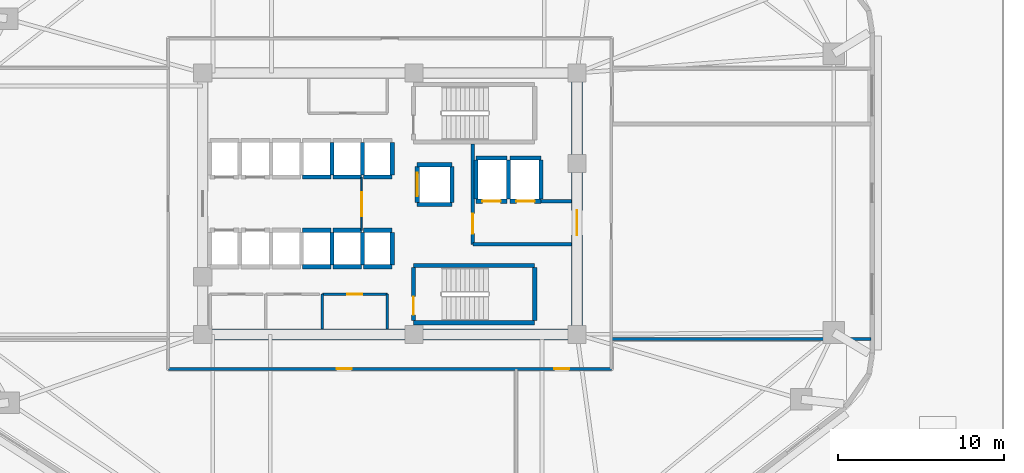
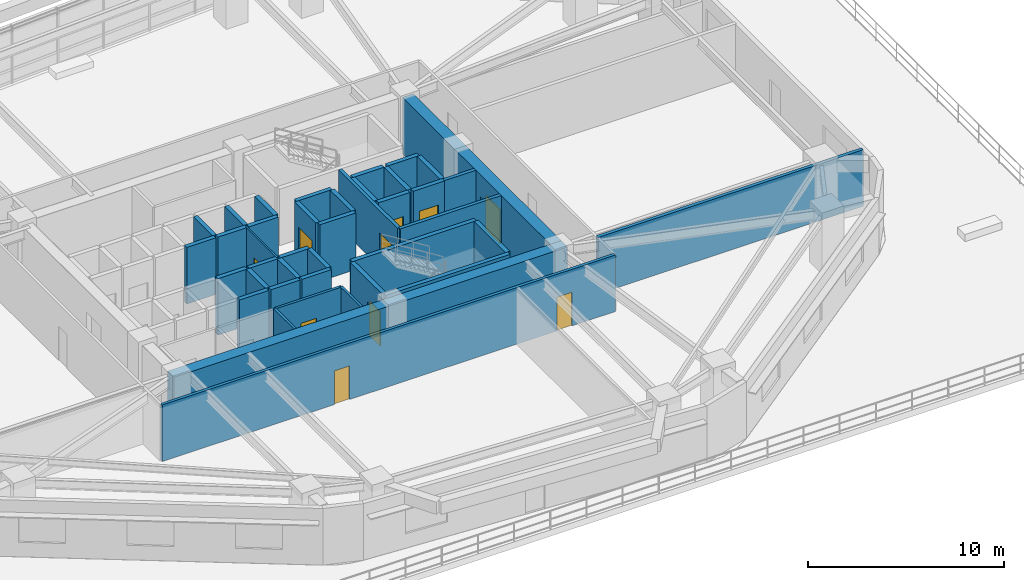
# One storey, part 15 of 20: 41 walls, 10 doors, 10 openings.
"""IFC4 building model written with IfcOpenShell, lengths in metres."""

from ifc_helpers import new_model, si_unit, direction, frame, frame_2d, origin, place, context, subcontext, project, spatial, rectangle, extrude, material, layer, layer_set, type_object, element, fill, save


model = new_model("IFC4")

# Units and contexts
model_context = context("Model", 3, precision=1e-05, world=origin(), true_north=direction((0.0, 1.0)))
body_context = subcontext(model_context, "Body", "Model", "MODEL_VIEW")
ifc_project = project(units=[si_unit("LENGTHUNIT", "METRE"), si_unit("AREAUNIT", "SQUARE_METRE"), si_unit("VOLUMEUNIT", "CUBIC_METRE"), si_unit("PLANEANGLEUNIT", "RADIAN"), si_unit("MASSUNIT", "GRAM", prefix="KILO")], contexts=[model_context])

# Site, building, storey
site_placement = place(None, origin())
site = spatial("IfcSite", under=ifc_project, at=site_placement, CompositionType="ELEMENT")
building_placement = place(site_placement, origin())
building = spatial("IfcBuilding", under=site, at=building_placement, Name="Zulverin Broadcast Headquarters", CompositionType="ELEMENT")
storey_placement = place(building_placement, frame((0.0, 0.0, 25.0)))
storey = spatial("IfcBuildingStorey", under=building, at=storey_placement, Name="L05", CompositionType="ELEMENT", Elevation=25.0)

# Walls
ifc_material_1 = material(Name="Acoustic drywall steel stud", Category="steel")
ifc_layer_1 = layer(ifc_material_1, 0.199951171875, Name="Acoustic drywall steel stud", Category="steel")
ifc_layer_set_1 = layer_set([ifc_layer_1], Name="Acoustic drywall steel stud")
wall_type_1 = type_object("IfcWallType", Name="WL-ACOU-200", PredefinedType="PARTITIONING", material=ifc_layer_set_1)
wall_1_placement = place(storey_placement, frame((50.35009765625, 17.050048828125, 0.0), z_axis=(0.0, 0.0, 1.0), x_axis=(1.0, 0.0, 0.0)))
element("IfcWall", 1, at=wall_1_placement, inside=storey, type_object=wall_type_1, Name="L05 Room Partition Wall RP-06", PredefinedType="PARTITIONING", context=body_context, shape_type="SweptSolid", body=[
    extrude(rectangle(XDim=15.64501953125, YDim=0.199951171875, at=frame_2d((7.822509765625, 0.0))), origin(), (0.0, 0.0, 1.0), 3.52490234375),
])
ifc_material_2 = material(Name="Concrete C60/75", Category="concrete")
ifc_layer_2 = layer(ifc_material_2, 0.64990234375, Name="Concrete C60/75", Category="concrete")
ifc_layer_set_2 = layer_set([ifc_layer_2], Name="Concrete C60/75")
wall_type_2 = type_object("IfcWallType", Name="WL-CORE-650", PredefinedType="SHEAR", material=ifc_layer_set_2)
wall_2_placement = place(storey_placement, frame((25.39990234375, 17.324951171875, 0.0), z_axis=(0.0, 0.0, 1.0), x_axis=(1.0, 0.0, 0.0)))
element("IfcWall", 2, at=wall_2_placement, inside=storey, type_object=wall_type_2, Name="L05 Core South Shear Wall", PredefinedType="SHEAR", context=body_context, shape_type="SweptSolid", body=[
    extrude(rectangle(XDim=23.2001953125, YDim=0.64990234375, at=frame_2d((11.60009765625, 0.0))), origin(), (0.0, 0.0, 1.0), 3.52490234375),
])

# Wall, opening, door
wall_3_placement = place(storey_placement, frame((48.27490234375, 17.64990234375, 0.0), z_axis=(0.0, 0.0, 1.0), x_axis=(0.0, 1.0, 0.0)))
wall_3 = element("IfcWall", 3, at=wall_3_placement, inside=storey, type_object=wall_type_2, Name="L05 Core East Shear Wall", PredefinedType="SHEAR", context=body_context, shape_type="SweptSolid", body=[
    extrude(rectangle(XDim=15.10009765625, YDim=0.64990234375, at=frame_2d((7.550048828125, 0.0))), origin(), (0.0, 0.0, 1.0), 3.52490234375),
])
opening_1_placement = place(wall_3_placement, frame((5.64990234375, 0.0, 0.0)))
opening_1 = element("IfcOpeningElement", 4, at=opening_1_placement, cuts=wall_3, Name="Opening D-L05-CE1", PredefinedType="OPENING", context=body_context, shape_type="SweptSolid", body=[
    extrude(rectangle(XDim=1.5, YDim=2.14990234375, at=frame_2d((0.75, 1.074951171875))), frame((0.0, 0.3349609375, 0.0), z_axis=(0.0, -1.0, 0.0), x_axis=(1.0, 0.0, 0.0)), (0.0, 0.0, 1.0), 0.669921875),
])
ifc_material_3 = material(Name="Fire-rated glazed steel frame", Category="steel")
door_type_1 = type_object("IfcDoorType", Name="DR-COR-1500", OperationType="DOUBLE_DOOR_SINGLE_SWING", PredefinedType="DOOR", material=ifc_material_3)
door_1_placement = place(opening_1_placement, origin())
door_1 = element("IfcDoor", 5, at=door_1_placement, inside=storey, type_object=door_type_1, Name="L05 Firefighting Lobby East Corridor Door", OperationType="DOUBLE_DOOR_SINGLE_SWING", OverallHeight=2.14990234375, OverallWidth=1.5, PredefinedType="DOOR", context=body_context, shape_type="SweptSolid", body=[
    extrude(rectangle(XDim=1.5, YDim=2.14990234375, at=frame_2d((0.75, 1.074951171875))), frame((0.0, 0.02490234375, 0.0), z_axis=(0.0, -1.0, 0.0), x_axis=(1.0, 0.0, 0.0)), (0.0, 0.0, 1.0), 0.050048828125),
])
fill(opening_1, door_1)

ifc_material_4 = material(Name="Concrete C40/50", Category="concrete")
ifc_layer_3 = layer(ifc_material_4, 0.199951171875, Name="Concrete C40/50", Category="concrete")
ifc_layer_set_3 = layer_set([ifc_layer_3], Name="Concrete C40/50")
wall_type_3 = type_object("IfcWallType", Name="WL-FFL-200", PredefinedType="SOLIDWALL", material=ifc_layer_set_3)
wall_4_placement = place(storey_placement, frame((42.0, 22.75, 0.0), z_axis=(0.0, 0.0, 1.0), x_axis=(0.0, 1.0, 0.0)))
wall_4 = element("IfcWall", 6, at=wall_4_placement, inside=storey, type_object=wall_type_3, Name="L05 Firefighting Lift Lobby West Wall", PredefinedType="SOLIDWALL", context=body_context, shape_type="SweptSolid", body=[
    extrude(rectangle(XDim=6.050048828125, YDim=0.199951171875, at=frame_2d((3.02490234375, 0.0))), origin(), (0.0, 0.0, 1.0), 3.52490234375),
])
opening_2_placement = place(wall_4_placement, frame((0.64990234375, 0.0, 0.0)))
opening_2 = element("IfcOpeningElement", 7, at=opening_2_placement, cuts=wall_4, Name="Opening D-L05-FFLW", PredefinedType="OPENING", context=body_context, shape_type="SweptSolid", body=[
    extrude(rectangle(XDim=1.199951171875, YDim=2.14990234375, at=frame_2d((0.60009765625, 1.074951171875))), frame((0.0, 0.10986328125, 0.0), z_axis=(0.0, -1.0, 0.0), x_axis=(1.0, 0.0, 0.0)), (0.0, 0.0, 1.0), 0.219970703125),
])
ifc_material_5 = material(Name="Fire-rated steel leaf and frame", Category="steel")
door_type_2 = type_object("IfcDoorType", Name="DR-FFL-1200", OperationType="SINGLE_SWING_RIGHT", PredefinedType="DOOR", material=ifc_material_5)
door_2_placement = place(opening_2_placement, origin())
door_2 = element("IfcDoor", 8, at=door_2_placement, inside=storey, type_object=door_type_2, Name="L05 Firefighting Lift Lobby Door", OperationType="SINGLE_SWING_RIGHT", OverallHeight=2.14990234375, OverallWidth=1.199951171875, PredefinedType="DOOR", context=body_context, shape_type="SweptSolid", body=[
    extrude(rectangle(XDim=1.199951171875, YDim=2.14990234375, at=frame_2d((0.60009765625, 1.074951171875))), frame((0.0, 0.02490234375, 0.0), z_axis=(0.0, -1.0, 0.0), x_axis=(1.0, 0.0, 0.0)), (0.0, 0.0, 1.0), 0.050048828125),
])
fill(opening_2, door_2)

# Walls
wall_5_placement = place(storey_placement, frame((42.0, 22.75, 0.0), z_axis=(0.0, 0.0, 1.0), x_axis=(1.0, 0.0, 0.0)))
element("IfcWall", 9, at=wall_5_placement, inside=storey, type_object=wall_type_3, Name="L05 Firefighting Lift Lobby South Wall", PredefinedType="SOLIDWALL", context=body_context, shape_type="SweptSolid", body=[
    extrude(rectangle(XDim=5.949951171875, YDim=0.199951171875, at=frame_2d((2.97509765625, 0.0))), origin(), (0.0, 0.0, 1.0), 3.52490234375),
])
wall_6_placement = place(storey_placement, frame((46.10009765625, 25.35009765625, 0.0), z_axis=(0.0, 0.0, 1.0), x_axis=(1.0, 0.0, 0.0)))
element("IfcWall", 10, at=wall_6_placement, inside=storey, type_object=wall_type_3, Name="L05 Firefighting Lift Lobby North Wall", PredefinedType="SOLIDWALL", context=body_context, shape_type="SweptSolid", body=[
    extrude(rectangle(XDim=1.849853515625, YDim=0.199951171875, at=frame_2d((0.9248046875, 0.0))), origin(), (0.0, 0.0, 1.0), 3.52490234375),
])

# Wall, opening, door
ifc_material_6 = material(Name="Fire-rated acoustic laminated glass screen", Category="glass")
ifc_layer_4 = layer(ifc_material_6, 0.10009765625, Name="Fire-rated acoustic laminated glass screen", Category="glass")
ifc_layer_set_4 = layer_set([ifc_layer_4], Name="Fire-rated acoustic laminated glass screen")
wall_type_4 = type_object("IfcWallType", Name="WL-GLAZ-100", PredefinedType="PARTITIONING", material=ifc_layer_set_4)
wall_7_placement = place(storey_placement, frame((35.300048828125, 23.60009765625, 0.0), z_axis=(0.0, 0.0, 1.0), x_axis=(0.0, 1.0, 0.0)))
wall_7 = element("IfcWall", 11, at=wall_7_placement, inside=storey, type_object=wall_type_4, Name="L05 Central Core Smoke Vestibule Screen", PredefinedType="PARTITIONING", context=body_context, shape_type="SweptSolid", body=[
    extrude(rectangle(XDim=3.199951171875, YDim=0.10009765625, at=frame_2d((1.60009765625, 0.0))), origin(), (0.0, 0.0, 1.0), 3.52490234375),
])
opening_3_placement = place(wall_7_placement, frame((0.85009765625, 0.0, 0.0)))
opening_3 = element("IfcOpeningElement", 12, at=opening_3_placement, cuts=wall_7, Name="Opening D-L05-CL2", PredefinedType="OPENING", context=body_context, shape_type="SweptSolid", body=[
    extrude(rectangle(XDim=1.449951171875, YDim=2.1201171875, at=frame_2d((0.72509765625, 1.06005859375))), frame((0.0, 0.06005859375, 0.0), z_axis=(0.0, -1.0, 0.0), x_axis=(1.0, 0.0, 0.0)), (0.0, 0.0, 1.0), 0.1201171875),
])
ifc_material_7 = material(Name="Fire-rated acoustic glazed double leaf", Category="glass")
door_type_3 = type_object("IfcDoorType", Name="DR-GLZ-1450", OperationType="DOUBLE_DOOR_SINGLE_SWING", PredefinedType="DOOR", material=ifc_material_7)
door_3_placement = place(opening_3_placement, origin())
door_3 = element("IfcDoor", 13, at=door_3_placement, inside=storey, type_object=door_type_3, Name="L05 Central Core Smoke Vestibule Door", OperationType="DOUBLE_DOOR_SINGLE_SWING", OverallHeight=2.1201171875, OverallWidth=1.449951171875, PredefinedType="DOOR", context=body_context, shape_type="SweptSolid", body=[
    extrude(rectangle(XDim=1.449951171875, YDim=2.1201171875, at=frame_2d((0.72509765625, 1.06005859375))), frame((0.0, 0.02490234375, 0.0), z_axis=(0.0, -1.0, 0.0), x_axis=(1.0, 0.0, 0.0)), (0.0, 0.0, 1.0), 0.050048828125),
])
fill(opening_3, door_3)

ifc_material_8 = material(Name="Fire-rated gypsum stud partition", Category="gypsum")
ifc_layer_5 = layer(ifc_material_8, 0.14990234375, Name="Fire-rated gypsum stud partition", Category="gypsum")
ifc_layer_set_5 = layer_set([ifc_layer_5], Name="Fire-rated gypsum stud partition")
wall_type_5 = type_object("IfcWallType", Name="WL-PART-150", PredefinedType="PARTITIONING", material=ifc_layer_set_5)
wall_8_placement = place(storey_placement, frame((32.929931640625, 19.75, 0.0), z_axis=(0.0, 0.0, 1.0), x_axis=(1.0, 0.0, 0.0)))
wall_8 = element("IfcWall", 14, at=wall_8_placement, inside=storey, type_object=wall_type_5, Name="L05 Core Cleaner Store Front Wall", PredefinedType="PARTITIONING", context=body_context, shape_type="SweptSolid", body=[
    extrude(rectangle(XDim=3.920166015625, YDim=0.14990234375, at=frame_2d((1.9599609375, 0.0))), origin(), (0.0, 0.0, 1.0), 3.52490234375),
])
opening_4_placement = place(wall_8_placement, frame((1.510009765625, 0.0, 0.0)))
opening_4 = element("IfcOpeningElement", 15, at=opening_4_placement, cuts=wall_8, Name="Opening D-L05-SC3", PredefinedType="OPENING", context=body_context, shape_type="SweptSolid", body=[
    extrude(rectangle(XDim=0.89990234375, YDim=2.10009765625, at=frame_2d((0.449951171875, 1.050048828125))), frame((0.0, 0.0849609375, 0.0), z_axis=(0.0, -1.0, 0.0), x_axis=(1.0, 0.0, 0.0)), (0.0, 0.0, 1.0), 0.169921875),
])
ifc_material_9 = material(Name="Powder-coated steel access leaf", Category="steel")
door_type_4 = type_object("IfcDoorType", Name="DR-RISER-900", OperationType="SINGLE_SWING_LEFT", PredefinedType="DOOR", material=ifc_material_9)
door_4_placement = place(opening_4_placement, origin())
door_4 = element("IfcDoor", 16, at=door_4_placement, inside=storey, type_object=door_type_4, Name="L05 Cleaner Store Door", OperationType="SINGLE_SWING_RIGHT", OverallHeight=2.10009765625, OverallWidth=0.89990234375, PredefinedType="DOOR", context=body_context, shape_type="SweptSolid", body=[
    extrude(rectangle(XDim=0.89990234375, YDim=2.10009765625, at=frame_2d((0.449951171875, 1.050048828125))), frame((0.0, 0.02490234375, 0.0), z_axis=(0.0, -1.0, 0.0), x_axis=(1.0, 0.0, 0.0)), (0.0, 0.0, 1.0), 0.050048828125),
])
fill(opening_4, door_4)

# Walls
for number, where, z_axis, x_axis, name in (
    (17, (32.929931640625, 17.64990234375, 0.0), (0.0, 0.0, 1.0), (0.0, 1.0, 0.0), "L05 Core Cleaner Store West Wall"),
    (18, (36.85009765625, 17.64990234375, 0.0), (0.0, 0.0, 1.0), (0.0, 1.0, 0.0), "L05 Core Cleaner Store East Wall"),
):
    element("IfcWall", number, at=place(storey_placement, frame(where, z_axis=z_axis, x_axis=x_axis)), inside=storey, type_object=wall_type_5, Name=name, PredefinedType="PARTITIONING", context=body_context, shape_type="SweptSolid", body=[
        extrude(rectangle(XDim=2.10009765625, YDim=0.14990234375, at=frame_2d((1.050048828125, 0.0))), origin(), (0.0, 0.0, 1.0), 3.52490234375),
    ])

# Wall, openings, doors
ifc_material_10 = material(Name="Fire-rated acoustic stud wall", Category="gypsum")
ifc_layer_6 = layer(ifc_material_10, 0.175048828125, Name="Fire-rated acoustic stud wall", Category="gypsum")
ifc_layer_set_6 = layer_set([ifc_layer_6], Name="Fire-rated acoustic stud wall")
wall_type_6 = type_object("IfcWallType", Name="WL-PART-175", PredefinedType="PARTITIONING", material=ifc_layer_set_6)
wall_9_placement = place(storey_placement, frame((23.64990234375, 15.25, 0.0), z_axis=(0.0, 0.0, 1.0), x_axis=(1.0, 0.0, 0.0)))
wall_9 = element("IfcWall", 19, at=wall_9_placement, inside=storey, type_object=wall_type_6, Name="L05 Gallery Partition Wall CG-04", PredefinedType="PARTITIONING", context=body_context, shape_type="SweptSolid", body=[
    extrude(rectangle(XDim=26.7001953125, YDim=0.175048828125, at=frame_2d((13.35009765625, 0.0))), origin(), (0.0, 0.0, 1.0), 3.52490234375),
])
opening_5_placement = place(wall_9_placement, frame((10.14501953125, 0.0, 0.0)))
opening_5 = element("IfcOpeningElement", 20, at=opening_5_placement, cuts=wall_9, Name="Opening D-L05-02", PredefinedType="OPENING", context=body_context, shape_type="SweptSolid", body=[
    extrude(rectangle(XDim=0.89990234375, YDim=2.10009765625, at=frame_2d((0.449951171875, 1.050048828125))), frame((0.0, 0.097412109375, 0.0), z_axis=(0.0, -1.0, 0.0), x_axis=(1.0, 0.0, 0.0)), (0.0, 0.0, 1.0), 0.195068359375),
])
opening_6_placement = place(wall_9_placement, frame((23.2548828125, 0.0, 0.0)))
opening_6 = element("IfcOpeningElement", 21, at=opening_6_placement, cuts=wall_9, Name="Opening D-L05-03", PredefinedType="OPENING", context=body_context, shape_type="SweptSolid", body=[
    extrude(rectangle(XDim=0.89990234375, YDim=2.10009765625, at=frame_2d((0.449951171875, 1.050048828125))), frame((0.0, 0.097412109375, 0.0), z_axis=(0.0, -1.0, 0.0), x_axis=(1.0, 0.0, 0.0)), (0.0, 0.0, 1.0), 0.195068359375),
])
ifc_material_11 = material(Name="Fire-rated hardwood veneer timber leaf", Category="wood")
door_type_5 = type_object("IfcDoorType", Name="DR-ROOM-900", OperationType="SINGLE_SWING_RIGHT", PredefinedType="DOOR", material=ifc_material_11)
door_5_placement = place(opening_5_placement, origin())
door_5 = element("IfcDoor", 22, at=door_5_placement, inside=storey, type_object=door_type_5, Name="L05 Editorial Meeting Room Door", OperationType="SINGLE_SWING_LEFT", OverallHeight=2.10009765625, OverallWidth=0.89990234375, PredefinedType="DOOR", context=body_context, shape_type="SweptSolid", body=[
    extrude(rectangle(XDim=0.89990234375, YDim=2.10009765625, at=frame_2d((0.449951171875, 1.050048828125))), frame((0.0, 0.02490234375, 0.0), z_axis=(0.0, -1.0, 0.0), x_axis=(1.0, 0.0, 0.0)), (0.0, 0.0, 1.0), 0.050048828125),
])
fill(opening_5, door_5)
door_6_placement = place(opening_6_placement, origin())
door_6 = element("IfcDoor", 23, at=door_6_placement, inside=storey, type_object=door_type_5, Name="L05 Staff Dining Canteen Door", OperationType="SINGLE_SWING_RIGHT", OverallHeight=2.10009765625, OverallWidth=0.89990234375, PredefinedType="DOOR", context=body_context, shape_type="SweptSolid", body=[
    extrude(rectangle(XDim=0.89990234375, YDim=2.10009765625, at=frame_2d((0.449951171875, 1.050048828125))), frame((0.0, 0.02490234375, 0.0), z_axis=(0.0, -1.0, 0.0), x_axis=(1.0, 0.0, 0.0)), (0.0, 0.0, 1.0), 0.050048828125),
])
fill(opening_6, door_6)

# Walls
ifc_material_12 = material(Name="Concrete C50/60", Category="concrete")
ifc_layer_7 = layer(ifc_material_12, 0.25, Name="Concrete C50/60", Category="concrete")
ifc_layer_set_7 = layer_set([ifc_layer_7], Name="Concrete C50/60")
wall_type_7 = type_object("IfcWallType", Name="WL-SHAFT-250", PredefinedType="SHEAR", material=ifc_layer_set_7)
for number, where, z_axis, x_axis, name in (
    (24, (38.425048828125, 18.02490234375, 0.0), (0.0, 0.0, 1.0), (1.0, 0.0, 0.0), "L05 ST-2 Enclosure Wall S"),
    (25, (38.425048828125, 21.47509765625, 0.0), (0.0, 0.0, 1.0), (1.0, 0.0, 0.0), "L05 ST-2 Enclosure Wall N"),
):
    element("IfcWall", number, at=place(storey_placement, frame(where, z_axis=z_axis, x_axis=x_axis)), inside=storey, type_object=wall_type_7, Name=name, PredefinedType="SHEAR", context=body_context, shape_type="SweptSolid", body=[
        extrude(rectangle(XDim=7.300048828125, YDim=0.25, at=frame_2d((3.64990234375, 0.0))), origin(), (0.0, 0.0, 1.0), 3.52490234375),
    ])

# Wall, opening, door
wall_10_placement = place(storey_placement, frame((38.425048828125, 18.14990234375, 0.0), z_axis=(0.0, 0.0, 1.0), x_axis=(0.0, 1.0, 0.0)))
wall_10 = element("IfcWall", 26, at=wall_10_placement, inside=storey, type_object=wall_type_7, Name="L05 ST-2 Enclosure Wall W", PredefinedType="SHEAR", context=body_context, shape_type="SweptSolid", body=[
    extrude(rectangle(XDim=3.2001953125, YDim=0.25, at=frame_2d((1.60009765625, 0.0))), origin(), (0.0, 0.0, 1.0), 3.52490234375),
])
opening_7_placement = place(wall_10_placement, frame((0.35009765625, 0.0, 0.0)))
opening_7 = element("IfcOpeningElement", 27, at=opening_7_placement, cuts=wall_10, Name="Opening D-L05-ST-2", PredefinedType="OPENING", context=body_context, shape_type="SweptSolid", body=[
    extrude(rectangle(XDim=1.10009765625, YDim=2.14990234375, at=frame_2d((0.550048828125, 1.074951171875))), frame((0.0, 0.135009765625, 0.0), z_axis=(0.0, -1.0, 0.0), x_axis=(1.0, 0.0, 0.0)), (0.0, 0.0, 1.0), 0.27001953125),
])
door_type_6 = type_object("IfcDoorType", Name="DR-STAIR-1100", OperationType="SINGLE_SWING_LEFT", PredefinedType="DOOR", material=ifc_material_5)
door_7_placement = place(opening_7_placement, origin())
door_7 = element("IfcDoor", 28, at=door_7_placement, inside=storey, type_object=door_type_6, Name="L05 Exit Stair ST-2 Fire Door", OperationType="SINGLE_SWING_RIGHT", OverallHeight=2.14990234375, OverallWidth=1.10009765625, PredefinedType="DOOR", context=body_context, shape_type="SweptSolid", body=[
    extrude(rectangle(XDim=1.10009765625, YDim=2.14990234375, at=frame_2d((0.550048828125, 1.074951171875))), frame((0.0, 0.02490234375, 0.0), z_axis=(0.0, -1.0, 0.0), x_axis=(1.0, 0.0, 0.0)), (0.0, 0.0, 1.0), 0.050048828125),
])
fill(opening_7, door_7)

# Walls
wall_11_placement = place(storey_placement, frame((45.72509765625, 18.14990234375, 0.0), z_axis=(0.0, 0.0, 1.0), x_axis=(0.0, 1.0, 0.0)))
element("IfcWall", 29, at=wall_11_placement, inside=storey, type_object=wall_type_7, Name="L05 ST-2 Enclosure Wall E", PredefinedType="SHEAR", context=body_context, shape_type="SweptSolid", body=[
    extrude(rectangle(XDim=3.2001953125, YDim=0.25, at=frame_2d((1.60009765625, 0.0))), origin(), (0.0, 0.0, 1.0), 3.52490234375),
])
for number, where, z_axis, x_axis, name in (
    (30, (31.739990234375, 21.39990234375, 0.0), (0.0, 0.0, 1.0), (1.0, 0.0, 0.0), "L05 Lift PL-M2 Shaft Wall S"),
    (31, (31.739990234375, 23.60009765625, 0.0), (0.0, 0.0, 1.0), (1.0, 0.0, 0.0), "L05 Lift PL-M2 Shaft Wall N"),
):
    element("IfcWall", number, at=place(storey_placement, frame(where, z_axis=z_axis, x_axis=x_axis)), inside=storey, type_object=wall_type_7, Name=name, PredefinedType="SHEAR", context=body_context, shape_type="SweptSolid", body=[
        extrude(rectangle(XDim=1.719970703125, YDim=0.25, at=frame_2d((0.85986328125, 0.0))), origin(), (0.0, 0.0, 1.0), 3.52490234375),
    ])
wall_12_placement = place(storey_placement, frame((33.52001953125, 21.52001953125, 0.0), z_axis=(0.0, 0.0, 1.0), x_axis=(0.0, 1.0, 0.0)))
element("IfcWall", 32, at=wall_12_placement, inside=storey, type_object=wall_type_7, Name="L05 Lift PL-M2 Shaft Wall E", PredefinedType="SHEAR", context=body_context, shape_type="SweptSolid", body=[
    extrude(rectangle(XDim=1.9599609375, YDim=0.25, at=frame_2d((0.97998046875, 0.0))), origin(), (0.0, 0.0, 1.0), 3.52490234375),
])
for number, where, z_axis, x_axis, name in (
    (33, (33.580078125, 21.39990234375, 0.0), (0.0, 0.0, 1.0), (1.0, 0.0, 0.0), "L05 Lift PL-M3 Shaft Wall S"),
    (34, (33.580078125, 23.60009765625, 0.0), (0.0, 0.0, 1.0), (1.0, 0.0, 0.0), "L05 Lift PL-M3 Shaft Wall N"),
):
    element("IfcWall", number, at=place(storey_placement, frame(where, z_axis=z_axis, x_axis=x_axis)), inside=storey, type_object=wall_type_7, Name=name, PredefinedType="SHEAR", context=body_context, shape_type="SweptSolid", body=[
        extrude(rectangle(XDim=1.719970703125, YDim=0.25, at=frame_2d((0.85986328125, 0.0))), origin(), (0.0, 0.0, 1.0), 3.52490234375),
    ])
wall_13_placement = place(storey_placement, frame((35.360107421875, 21.52001953125, 0.0), z_axis=(0.0, 0.0, 1.0), x_axis=(0.0, 1.0, 0.0)))
element("IfcWall", 35, at=wall_13_placement, inside=storey, type_object=wall_type_7, Name="L05 Lift PL-M3 Shaft Wall E", PredefinedType="SHEAR", context=body_context, shape_type="SweptSolid", body=[
    extrude(rectangle(XDim=1.9599609375, YDim=0.25, at=frame_2d((0.97998046875, 0.0))), origin(), (0.0, 0.0, 1.0), 3.52490234375),
])
for number, where, z_axis, x_axis, name in (
    (36, (35.419921875, 21.39990234375, 0.0), (0.0, 0.0, 1.0), (1.0, 0.0, 0.0), "L05 Lift PL-M4 Shaft Wall S"),
    (37, (35.419921875, 23.60009765625, 0.0), (0.0, 0.0, 1.0), (1.0, 0.0, 0.0), "L05 Lift PL-M4 Shaft Wall N"),
):
    element("IfcWall", number, at=place(storey_placement, frame(where, z_axis=z_axis, x_axis=x_axis)), inside=storey, type_object=wall_type_7, Name=name, PredefinedType="SHEAR", context=body_context, shape_type="SweptSolid", body=[
        extrude(rectangle(XDim=1.719970703125, YDim=0.25, at=frame_2d((0.85986328125, 0.0))), origin(), (0.0, 0.0, 1.0), 3.52490234375),
    ])
wall_14_placement = place(storey_placement, frame((37.139892578125, 21.52001953125, 0.0), z_axis=(0.0, 0.0, 1.0), x_axis=(0.0, 1.0, 0.0)))
element("IfcWall", 38, at=wall_14_placement, inside=storey, type_object=wall_type_7, Name="L05 Lift PL-M4 Shaft Wall E", PredefinedType="SHEAR", context=body_context, shape_type="SweptSolid", body=[
    extrude(rectangle(XDim=1.9599609375, YDim=0.25, at=frame_2d((0.97998046875, 0.0))), origin(), (0.0, 0.0, 1.0), 3.52490234375),
])
wall_15_placement = place(storey_placement, frame((31.739990234375, 26.800048828125, 0.0), z_axis=(0.0, 0.0, 1.0), x_axis=(1.0, 0.0, 0.0)))
element("IfcWall", 39, at=wall_15_placement, inside=storey, type_object=wall_type_7, Name="L05 Lift PL-H2 Shaft Wall S", PredefinedType="SHEAR", context=body_context, shape_type="SweptSolid", body=[
    extrude(rectangle(XDim=1.719970703125, YDim=0.25, at=frame_2d((0.85986328125, 0.0))), origin(), (0.0, 0.0, 1.0), 3.52490234375),
])
wall_16_placement = place(storey_placement, frame((33.52001953125, 26.919921875, 0.0), z_axis=(0.0, 0.0, 1.0), x_axis=(0.0, 1.0, 0.0)))
element("IfcWall", 40, at=wall_16_placement, inside=storey, type_object=wall_type_7, Name="L05 Lift PL-H2 Shaft Wall E", PredefinedType="SHEAR", context=body_context, shape_type="SweptSolid", body=[
    extrude(rectangle(XDim=1.9599609375, YDim=0.25, at=frame_2d((0.97998046875, 0.0))), origin(), (0.0, 0.0, 1.0), 3.52490234375),
])
wall_17_placement = place(storey_placement, frame((33.580078125, 26.800048828125, 0.0), z_axis=(0.0, 0.0, 1.0), x_axis=(1.0, 0.0, 0.0)))
element("IfcWall", 41, at=wall_17_placement, inside=storey, type_object=wall_type_7, Name="L05 Lift PL-H3 Shaft Wall S", PredefinedType="SHEAR", context=body_context, shape_type="SweptSolid", body=[
    extrude(rectangle(XDim=1.719970703125, YDim=0.25, at=frame_2d((0.85986328125, 0.0))), origin(), (0.0, 0.0, 1.0), 3.52490234375),
])
wall_18_placement = place(storey_placement, frame((35.360107421875, 26.919921875, 0.0), z_axis=(0.0, 0.0, 1.0), x_axis=(0.0, 1.0, 0.0)))
element("IfcWall", 42, at=wall_18_placement, inside=storey, type_object=wall_type_7, Name="L05 Lift PL-H3 Shaft Wall E", PredefinedType="SHEAR", context=body_context, shape_type="SweptSolid", body=[
    extrude(rectangle(XDim=1.9599609375, YDim=0.25, at=frame_2d((0.97998046875, 0.0))), origin(), (0.0, 0.0, 1.0), 3.52490234375),
])
wall_19_placement = place(storey_placement, frame((35.419921875, 26.800048828125, 0.0), z_axis=(0.0, 0.0, 1.0), x_axis=(1.0, 0.0, 0.0)))
element("IfcWall", 43, at=wall_19_placement, inside=storey, type_object=wall_type_7, Name="L05 Lift PL-H4 Shaft Wall S", PredefinedType="SHEAR", context=body_context, shape_type="SweptSolid", body=[
    extrude(rectangle(XDim=1.719970703125, YDim=0.25, at=frame_2d((0.85986328125, 0.0))), origin(), (0.0, 0.0, 1.0), 3.52490234375),
])
wall_20_placement = place(storey_placement, frame((37.139892578125, 26.919921875, 0.0), z_axis=(0.0, 0.0, 1.0), x_axis=(0.0, 1.0, 0.0)))
element("IfcWall", 44, at=wall_20_placement, inside=storey, type_object=wall_type_7, Name="L05 Lift PL-H4 Shaft Wall E", PredefinedType="SHEAR", context=body_context, shape_type="SweptSolid", body=[
    extrude(rectangle(XDim=1.9599609375, YDim=0.25, at=frame_2d((0.97998046875, 0.0))), origin(), (0.0, 0.0, 1.0), 3.52490234375),
])

# Wall, opening, door
wall_21_placement = place(storey_placement, frame((42.199951171875, 25.35009765625, 0.0), z_axis=(0.0, 0.0, 1.0), x_axis=(1.0, 0.0, 0.0)))
wall_21 = element("IfcWall", 45, at=wall_21_placement, inside=storey, type_object=wall_type_7, Name="L05 Lift FFL-1 Shaft Wall S", PredefinedType="SHEAR", context=body_context, shape_type="SweptSolid", body=[
    extrude(rectangle(XDim=1.85009765625, YDim=0.25, at=frame_2d((0.925048828125, 0.0))), origin(), (0.0, 0.0, 1.0), 3.52490234375),
])
opening_8_placement = place(wall_21_placement, frame((0.375, 0.0, 0.0)))
opening_8 = element("IfcOpeningElement", 46, at=opening_8_placement, cuts=wall_21, Name="Opening LD-FFL-1-L05", PredefinedType="OPENING", context=body_context, shape_type="SweptSolid", body=[
    extrude(rectangle(XDim=1.10009765625, YDim=2.14990234375, at=frame_2d((0.550048828125, 1.074951171875))), frame((0.0, 0.135009765625, 0.0), z_axis=(0.0, -1.0, 0.0), x_axis=(1.0, 0.0, 0.0)), (0.0, 0.0, 1.0), 0.27001953125),
])
ifc_material_13 = material(Name="Fire-rated stainless landing door", Category="steel")
door_type_7 = type_object("IfcDoorType", Name="LD-FFL-1100", OperationType="DOUBLE_DOOR_SLIDING", PredefinedType="DOOR", material=ifc_material_13)
door_8_placement = place(opening_8_placement, origin())
door_8 = element("IfcDoor", 47, at=door_8_placement, inside=storey, type_object=door_type_7, Name="L05 Lift FFL-1 Sliding Landing Door", OperationType="DOUBLE_DOOR_SLIDING", OverallHeight=2.14990234375, OverallWidth=1.10009765625, PredefinedType="DOOR", context=body_context, shape_type="SweptSolid", body=[
    extrude(rectangle(XDim=1.10009765625, YDim=2.14990234375, at=frame_2d((0.550048828125, 1.074951171875))), frame((0.0, 0.02490234375, 0.0), z_axis=(0.0, -1.0, 0.0), x_axis=(1.0, 0.0, 0.0)), (0.0, 0.0, 1.0), 0.050048828125),
])
fill(opening_8, door_8)

# Walls
wall_22_placement = place(storey_placement, frame((42.199951171875, 27.949951171875, 0.0), z_axis=(0.0, 0.0, 1.0), x_axis=(1.0, 0.0, 0.0)))
element("IfcWall", 48, at=wall_22_placement, inside=storey, type_object=wall_type_7, Name="L05 Lift FFL-1 Shaft Wall N", PredefinedType="SHEAR", context=body_context, shape_type="SweptSolid", body=[
    extrude(rectangle(XDim=1.85009765625, YDim=0.25, at=frame_2d((0.925048828125, 0.0))), origin(), (0.0, 0.0, 1.0), 3.52490234375),
])
for number, where, z_axis, x_axis, name in (
    (49, (42.199951171875, 25.469970703125, 0.0), (0.0, 0.0, 1.0), (0.0, 1.0, 0.0), "L05 Lift FFL-1 Shaft Wall W"),
    (50, (44.14990234375, 25.469970703125, 0.0), (0.0, 0.0, 1.0), (0.0, 1.0, 0.0), "L05 Lift FFL-1 Shaft Wall E"),
):
    element("IfcWall", number, at=place(storey_placement, frame(where, z_axis=z_axis, x_axis=x_axis)), inside=storey, type_object=wall_type_7, Name=name, PredefinedType="SHEAR", context=body_context, shape_type="SweptSolid", body=[
        extrude(rectangle(XDim=2.360107421875, YDim=0.25, at=frame_2d((1.18017578125, 0.0))), origin(), (0.0, 0.0, 1.0), 3.52490234375),
    ])

# Wall, opening, door
wall_23_placement = place(storey_placement, frame((44.25, 25.35009765625, 0.0), z_axis=(0.0, 0.0, 1.0), x_axis=(1.0, 0.0, 0.0)))
wall_23 = element("IfcWall", 51, at=wall_23_placement, inside=storey, type_object=wall_type_7, Name="L05 Lift FFL-2 Shaft Wall S", PredefinedType="SHEAR", context=body_context, shape_type="SweptSolid", body=[
    extrude(rectangle(XDim=1.85009765625, YDim=0.25, at=frame_2d((0.925048828125, 0.0))), origin(), (0.0, 0.0, 1.0), 3.52490234375),
])
opening_9_placement = place(wall_23_placement, frame((0.375, 0.0, 0.0)))
opening_9 = element("IfcOpeningElement", 52, at=opening_9_placement, cuts=wall_23, Name="Opening LD-FFL-2-L05", PredefinedType="OPENING", context=body_context, shape_type="SweptSolid", body=[
    extrude(rectangle(XDim=1.10009765625, YDim=2.14990234375, at=frame_2d((0.550048828125, 1.074951171875))), frame((0.0, 0.135009765625, 0.0), z_axis=(0.0, -1.0, 0.0), x_axis=(1.0, 0.0, 0.0)), (0.0, 0.0, 1.0), 0.27001953125),
])
door_9_placement = place(opening_9_placement, origin())
door_9 = element("IfcDoor", 53, at=door_9_placement, inside=storey, type_object=door_type_7, Name="L05 Lift FFL-2 Sliding Landing Door", OperationType="DOUBLE_DOOR_SLIDING", OverallHeight=2.14990234375, OverallWidth=1.10009765625, PredefinedType="DOOR", context=body_context, shape_type="SweptSolid", body=[
    extrude(rectangle(XDim=1.10009765625, YDim=2.14990234375, at=frame_2d((0.550048828125, 1.074951171875))), frame((0.0, 0.02490234375, 0.0), z_axis=(0.0, -1.0, 0.0), x_axis=(1.0, 0.0, 0.0)), (0.0, 0.0, 1.0), 0.050048828125),
])
fill(opening_9, door_9)

# Walls
wall_24_placement = place(storey_placement, frame((44.25, 27.949951171875, 0.0), z_axis=(0.0, 0.0, 1.0), x_axis=(1.0, 0.0, 0.0)))
element("IfcWall", 54, at=wall_24_placement, inside=storey, type_object=wall_type_7, Name="L05 Lift FFL-2 Shaft Wall N", PredefinedType="SHEAR", context=body_context, shape_type="SweptSolid", body=[
    extrude(rectangle(XDim=1.85009765625, YDim=0.25, at=frame_2d((0.925048828125, 0.0))), origin(), (0.0, 0.0, 1.0), 3.52490234375),
])
wall_25_placement = place(storey_placement, frame((46.10009765625, 25.469970703125, 0.0), z_axis=(0.0, 0.0, 1.0), x_axis=(0.0, 1.0, 0.0)))
element("IfcWall", 55, at=wall_25_placement, inside=storey, type_object=wall_type_7, Name="L05 Lift FFL-2 Shaft Wall E", PredefinedType="SHEAR", context=body_context, shape_type="SweptSolid", body=[
    extrude(rectangle(XDim=2.360107421875, YDim=0.25, at=frame_2d((1.18017578125, 0.0))), origin(), (0.0, 0.0, 1.0), 3.52490234375),
])
for number, where, z_axis, x_axis, name in (
    (56, (38.64990234375, 25.14990234375, 0.0), (0.0, 0.0, 1.0), (1.0, 0.0, 0.0), "L05 Lift SVL-1 Shaft Wall S"),
    (57, (38.64990234375, 27.550048828125, 0.0), (0.0, 0.0, 1.0), (1.0, 0.0, 0.0), "L05 Lift SVL-1 Shaft Wall N"),
):
    element("IfcWall", number, at=place(storey_placement, frame(where, z_axis=z_axis, x_axis=x_axis)), inside=storey, type_object=wall_type_7, Name=name, PredefinedType="SHEAR", context=body_context, shape_type="SweptSolid", body=[
        extrude(rectangle(XDim=2.10009765625, YDim=0.25, at=frame_2d((1.050048828125, 0.0))), origin(), (0.0, 0.0, 1.0), 3.52490234375),
    ])

# Wall, opening, door
wall_26_placement = place(storey_placement, frame((38.64990234375, 25.27001953125, 0.0), z_axis=(0.0, 0.0, 1.0), x_axis=(0.0, 1.0, 0.0)))
wall_26 = element("IfcWall", 58, at=wall_26_placement, inside=storey, type_object=wall_type_7, Name="L05 Lift SVL-1 Shaft Wall W", PredefinedType="SHEAR", context=body_context, shape_type="SweptSolid", body=[
    extrude(rectangle(XDim=2.159912109375, YDim=0.25, at=frame_2d((1.080078125, 0.0))), origin(), (0.0, 0.0, 1.0), 3.52490234375),
])
opening_10_placement = place(wall_26_placement, frame((0.3798828125, 0.0, 0.0)))
opening_10 = element("IfcOpeningElement", 59, at=opening_10_placement, cuts=wall_26, Name="Opening LD-SVL-1-L05", PredefinedType="OPENING", context=body_context, shape_type="SweptSolid", body=[
    extrude(rectangle(XDim=1.39990234375, YDim=2.199951171875, at=frame_2d((0.699951171875, 1.10009765625))), frame((0.0, 0.135009765625, 0.0), z_axis=(0.0, -1.0, 0.0), x_axis=(1.0, 0.0, 0.0)), (0.0, 0.0, 1.0), 0.27001953125),
])
ifc_material_14 = material(Name="Heavy-duty stainless landing door", Category="steel")
door_type_8 = type_object("IfcDoorType", Name="LD-GOODS-1400", OperationType="DOUBLE_DOOR_SLIDING", PredefinedType="DOOR", material=ifc_material_14)
door_10_placement = place(opening_10_placement, origin())
door_10 = element("IfcDoor", 60, at=door_10_placement, inside=storey, type_object=door_type_8, Name="L05 Lift SVL-1 Sliding Landing Door", OperationType="DOUBLE_DOOR_SLIDING", OverallHeight=2.199951171875, OverallWidth=1.39990234375, PredefinedType="DOOR", context=body_context, shape_type="SweptSolid", body=[
    extrude(rectangle(XDim=1.39990234375, YDim=2.199951171875, at=frame_2d((0.699951171875, 1.10009765625))), frame((0.0, 0.02490234375, 0.0), z_axis=(0.0, -1.0, 0.0), x_axis=(1.0, 0.0, 0.0)), (0.0, 0.0, 1.0), 0.050048828125),
])
fill(opening_10, door_10)

# Wall
wall_27_placement = place(storey_placement, frame((40.75, 25.27001953125, 0.0), z_axis=(0.0, 0.0, 1.0), x_axis=(0.0, 1.0, 0.0)))
element("IfcWall", 61, at=wall_27_placement, inside=storey, type_object=wall_type_7, Name="L05 Lift SVL-1 Shaft Wall E", PredefinedType="SHEAR", context=body_context, shape_type="SweptSolid", body=[
    extrude(rectangle(XDim=2.159912109375, YDim=0.25, at=frame_2d((1.080078125, 0.0))), origin(), (0.0, 0.0, 1.0), 3.52490234375),
])

save(model, "model.ifc")
